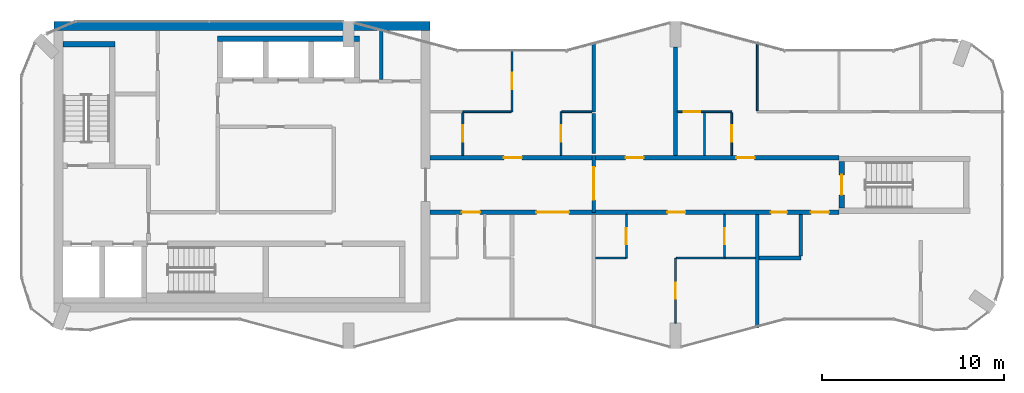
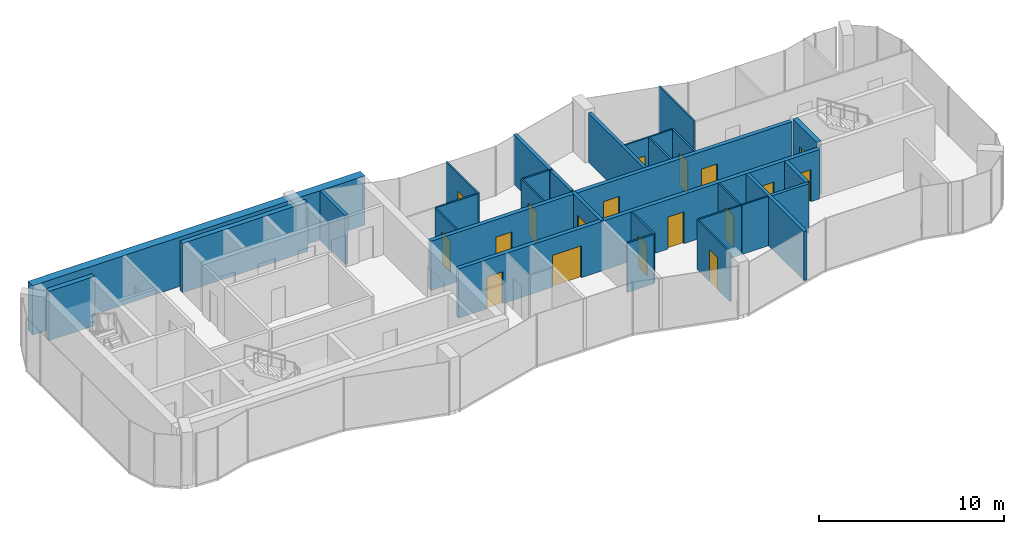
# One storey, part 8 of 10: 29 walls, 18 doors, 18 openings.
"""IFC4 building model written with IfcOpenShell, lengths in metres."""

from ifc_helpers import new_model, si_unit, direction, frame, frame_2d, origin, place, context, subcontext, project, spatial, rectangle, extrude, material, layer, layer_set, type_object, element, fill, save


model = new_model("IFC4")

# Units and contexts
model_context = context("Model", 3, precision=1e-05, world=origin(), true_north=direction((0.0, 1.0)))
body_context = subcontext(model_context, "Body", "Model", "MODEL_VIEW")
ifc_project = project(units=[si_unit("LENGTHUNIT", "METRE"), si_unit("AREAUNIT", "SQUARE_METRE"), si_unit("VOLUMEUNIT", "CUBIC_METRE"), si_unit("PLANEANGLEUNIT", "RADIAN"), si_unit("MASSUNIT", "GRAM", prefix="KILO")], contexts=[model_context])

# Site, building, storey
site_placement = place(None, origin())
site = spatial("IfcSite", under=ifc_project, at=site_placement, CompositionType="ELEMENT")
building_placement = place(site_placement, origin())
building = spatial("IfcBuilding", under=site, at=building_placement, Name="Plateau Cross Towers", CompositionType="ELEMENT")
storey_placement = place(building_placement, frame((0.0, 0.0, 249.39990234375)))
storey = spatial("IfcBuildingStorey", under=building, at=storey_placement, Name="L65", CompositionType="ELEMENT", Elevation=249.39990234375)

# Walls
ifc_material_1 = material(Name="Concrete block, plastered both sides", Category="concrete")
ifc_layer_1 = layer(ifc_material_1, 0.199951171875)
ifc_layer_set_1 = layer_set([ifc_layer_1], Name="Concrete block, plastered both sides")
wall_type_1 = type_object("IfcWallType", Name="Core partition 200", PredefinedType="PARTITIONING", material=ifc_layer_set_1)
wall_1_placement = place(storey_placement, frame((19.800048828125, 14.800048828125, 0.0), z_axis=(0.0, 0.0, 1.0), x_axis=(0.0, 1.0, 0.0)))
element("IfcWall", 1, at=wall_1_placement, inside=storey, type_object=wall_type_1, Name="Core partition", PredefinedType="PARTITIONING", context=body_context, shape_type="SweptSolid", body=[
    extrude(rectangle(XDim=2.699951171875, YDim=0.199951171875, at=frame_2d((1.35009765625, 0.0))), origin(), (0.0, 0.0, 1.0), 3.25),
])
ifc_material_2 = material(Name="Concrete C60/75", Category="concrete")
ifc_layer_2 = layer(ifc_material_2, 0.300048828125)
ifc_layer_set_2 = layer_set([ifc_layer_2], Name="Concrete C60/75")
wall_type_2 = type_object("IfcWallType", Name="Core shaft wall 300", PredefinedType="SHEAR", material=ifc_layer_set_2)
wall_2_placement = place(storey_placement, frame((2.300048828125, 16.75, 0.0), z_axis=(0.0, 0.0, 1.0), x_axis=(1.0, 0.0, 0.0)))
element("IfcWall", 2, at=wall_2_placement, inside=storey, type_object=wall_type_2, Name="A-st1-N@L65", PredefinedType="SHEAR", context=body_context, shape_type="SweptSolid", body=[
    extrude(rectangle(XDim=2.849853515625, YDim=0.300048828125, at=frame_2d((1.4248046875, 0.0))), origin(), (0.0, 0.0, 1.0), 3.25),
])
wall_3_placement = place(storey_placement, frame((10.800048828125, 17.050048828125, 0.0), z_axis=(0.0, 0.0, 1.0), x_axis=(1.0, 0.0, 0.0)))
element("IfcWall", 3, at=wall_3_placement, inside=storey, type_object=wall_type_2, Name="A-nb-back@L65", PredefinedType="SHEAR", context=body_context, shape_type="SweptSolid", body=[
    extrude(rectangle(XDim=7.800048828125, YDim=0.300048828125, at=frame_2d((3.89990234375, 0.0))), origin(), (0.0, 0.0, 1.0), 3.25),
])
ifc_layer_3 = layer(ifc_material_2, 0.5)
ifc_layer_set_3 = layer_set([ifc_layer_3], Name="Concrete C60/75")
wall_type_3 = type_object("IfcWallType", Name="Core shell wall 500", PredefinedType="SHEAR", material=ifc_layer_set_3)
wall_4_placement = place(storey_placement, frame((1.800048828125, 17.75, 0.0), z_axis=(0.0, 0.0, 1.0), x_axis=(1.0, 0.0, 0.0)))
element("IfcWall", 4, at=wall_4_placement, inside=storey, type_object=wall_type_3, Name="A-core-N@L65", PredefinedType="SHEAR", context=body_context, shape_type="SweptSolid", body=[
    extrude(rectangle(XDim=20.699951171875, YDim=0.5, at=frame_2d((10.35009765625, 0.0))), origin(), (0.0, 0.0, 1.0), 3.25),
])

# Wall, openings, doors
ifc_layer_4 = layer(ifc_material_2, 0.25)
ifc_layer_set_4 = layer_set([ifc_layer_4], Name="Concrete C60/75")
wall_type_4 = type_object("IfcWallType", Name="Corridor wall 250", PredefinedType="SHEAR", material=ifc_layer_set_4)
wall_5_placement = place(storey_placement, frame((22.5, 7.5, 0.0), z_axis=(0.0, 0.0, 1.0), x_axis=(1.0, 0.0, 0.0)))
wall_5 = element("IfcWall", 5, at=wall_5_placement, inside=storey, type_object=wall_type_4, Name="A-cw-S1@L65", PredefinedType="SHEAR", context=body_context, shape_type="SweptSolid", body=[
    extrude(rectangle(XDim=22.5, YDim=0.25, at=frame_2d((11.25, 0.0))), origin(), (0.0, 0.0, 1.0), 3.25),
])
opening_1_placement = place(wall_5_placement, frame((1.75, 0.0, 0.0)))
opening_1 = element("IfcOpeningElement", 6, at=opening_1_placement, cuts=wall_5, Name="Opening 65-01", PredefinedType="OPENING", context=body_context, shape_type="SweptSolid", body=[
    extrude(rectangle(XDim=1.0, YDim=2.10009765625, at=frame_2d((0.5, 1.050048828125))), frame((0.0, 0.135009765625, 0.0), z_axis=(0.0, -1.0, 0.0), x_axis=(1.0, 0.0, 0.0)), (0.0, 0.0, 1.0), 0.27001953125),
])
opening_2_placement = place(wall_5_placement, frame((5.85009765625, 0.0, 0.0)))
opening_2 = element("IfcOpeningElement", 7, at=opening_2_placement, cuts=wall_5, Name="Opening 65-02", PredefinedType="OPENING", context=body_context, shape_type="SweptSolid", body=[
    extrude(rectangle(XDim=1.800048828125, YDim=2.10009765625, at=frame_2d((0.89990234375, 1.050048828125))), frame((0.0, 0.135009765625, 0.0), z_axis=(0.0, -1.0, 0.0), x_axis=(1.0, 0.0, 0.0)), (0.0, 0.0, 1.0), 0.27001953125),
])
opening_3_placement = place(wall_5_placement, frame((13.050048828125, 0.0, 0.0)))
opening_3 = element("IfcOpeningElement", 8, at=opening_3_placement, cuts=wall_5, Name="Opening 65-03", PredefinedType="OPENING", context=body_context, shape_type="SweptSolid", body=[
    extrude(rectangle(XDim=1.0, YDim=2.10009765625, at=frame_2d((0.5, 1.050048828125))), frame((0.0, 0.135009765625, 0.0), z_axis=(0.0, -1.0, 0.0), x_axis=(1.0, 0.0, 0.0)), (0.0, 0.0, 1.0), 0.27001953125),
])
opening_4_placement = place(wall_5_placement, frame((18.75, 0.0, 0.0)))
opening_4 = element("IfcOpeningElement", 9, at=opening_4_placement, cuts=wall_5, Name="Opening 65-04", PredefinedType="OPENING", context=body_context, shape_type="SweptSolid", body=[
    extrude(rectangle(XDim=0.89990234375, YDim=2.10009765625, at=frame_2d((0.449951171875, 1.050048828125))), frame((0.0, 0.135009765625, 0.0), z_axis=(0.0, -1.0, 0.0), x_axis=(1.0, 0.0, 0.0)), (0.0, 0.0, 1.0), 0.27001953125),
])
opening_5_placement = place(wall_5_placement, frame((20.949951171875, 0.0, 0.0)))
opening_5 = element("IfcOpeningElement", 10, at=opening_5_placement, cuts=wall_5, Name="Opening 65-05", PredefinedType="OPENING", context=body_context, shape_type="SweptSolid", body=[
    extrude(rectangle(XDim=1.0, YDim=2.10009765625, at=frame_2d((0.5, 1.050048828125))), frame((0.0, 0.135009765625, 0.0), z_axis=(0.0, -1.0, 0.0), x_axis=(1.0, 0.0, 0.0)), (0.0, 0.0, 1.0), 0.27001953125),
])
ifc_material_3 = material(Name="Timber, fire-resisting leaf", Category="wood")
door_type_1 = type_object("IfcDoorType", Name="Flat entrance door 1000", OperationType="NOTDEFINED", PredefinedType="DOOR", material=ifc_material_3)
door_1_placement = place(opening_1_placement, origin())
door_1 = element("IfcDoor", 11, at=door_1_placement, inside=storey, type_object=door_type_1, Name="Door 65-01", OperationType="SINGLE_SWING_LEFT", OverallHeight=2.10009765625, OverallWidth=1.0, PredefinedType="DOOR", context=body_context, shape_type="SweptSolid", body=[
    extrude(rectangle(XDim=1.0, YDim=2.10009765625, at=frame_2d((0.5, 1.050048828125))), frame((0.0, 0.02490234375, 0.0), z_axis=(0.0, -1.0, 0.0), x_axis=(1.0, 0.0, 0.0)), (0.0, 0.0, 1.0), 0.050048828125),
])
fill(opening_1, door_1)
door_2_placement = place(opening_3_placement, origin())
door_2 = element("IfcDoor", 12, at=door_2_placement, inside=storey, type_object=door_type_1, Name="Door 65-03", OperationType="SINGLE_SWING_RIGHT", OverallHeight=2.10009765625, OverallWidth=1.0, PredefinedType="DOOR", context=body_context, shape_type="SweptSolid", body=[
    extrude(rectangle(XDim=1.0, YDim=2.10009765625, at=frame_2d((0.5, 1.050048828125))), frame((0.0, 0.02490234375, 0.0), z_axis=(0.0, -1.0, 0.0), x_axis=(1.0, 0.0, 0.0)), (0.0, 0.0, 1.0), 0.050048828125),
])
fill(opening_3, door_2)
door_3_placement = place(opening_5_placement, origin())
door_3 = element("IfcDoor", 13, at=door_3_placement, inside=storey, type_object=door_type_1, Name="Door 65-05", OperationType="SINGLE_SWING_RIGHT", OverallHeight=2.10009765625, OverallWidth=1.0, PredefinedType="DOOR", context=body_context, shape_type="SweptSolid", body=[
    extrude(rectangle(XDim=1.0, YDim=2.10009765625, at=frame_2d((0.5, 1.050048828125))), frame((0.0, 0.02490234375, 0.0), z_axis=(0.0, -1.0, 0.0), x_axis=(1.0, 0.0, 0.0)), (0.0, 0.0, 1.0), 0.050048828125),
])
fill(opening_5, door_3)
ifc_material_4 = material(Name="Timber, fire-resisting leaves", Category="wood")
door_type_2 = type_object("IfcDoorType", Name="Flat floor fire door pair 1800", OperationType="NOTDEFINED", PredefinedType="DOOR", material=ifc_material_4)
door_4_placement = place(opening_2_placement, origin())
door_4 = element("IfcDoor", 14, at=door_4_placement, inside=storey, type_object=door_type_2, Name="Door 65-02", OperationType="SINGLE_SWING_LEFT", OverallHeight=2.10009765625, OverallWidth=1.800048828125, PredefinedType="DOOR", context=body_context, shape_type="SweptSolid", body=[
    extrude(rectangle(XDim=1.800048828125, YDim=2.10009765625, at=frame_2d((0.89990234375, 1.050048828125))), frame((0.0, 0.02490234375, 0.0), z_axis=(0.0, -1.0, 0.0), x_axis=(1.0, 0.0, 0.0)), (0.0, 0.0, 1.0), 0.050048828125),
])
fill(opening_2, door_4)
door_type_3 = type_object("IfcDoorType", Name="Flat floor service door 900", OperationType="NOTDEFINED", PredefinedType="DOOR", material=ifc_material_3)
door_5_placement = place(opening_4_placement, origin())
door_5 = element("IfcDoor", 15, at=door_5_placement, inside=storey, type_object=door_type_3, Name="Door 65-04", OperationType="SINGLE_SWING_RIGHT", OverallHeight=2.10009765625, OverallWidth=0.89990234375, PredefinedType="DOOR", context=body_context, shape_type="SweptSolid", body=[
    extrude(rectangle(XDim=0.89990234375, YDim=2.10009765625, at=frame_2d((0.449951171875, 1.050048828125))), frame((0.0, 0.02490234375, 0.0), z_axis=(0.0, -1.0, 0.0), x_axis=(1.0, 0.0, 0.0)), (0.0, 0.0, 1.0), 0.050048828125),
])
fill(opening_4, door_5)

wall_6_placement = place(storey_placement, frame((22.5, 10.5, 0.0), z_axis=(0.0, 0.0, 1.0), x_axis=(1.0, 0.0, 0.0)))
wall_6 = element("IfcWall", 16, at=wall_6_placement, inside=storey, type_object=wall_type_4, Name="A-cw-S2@L65", PredefinedType="SHEAR", context=body_context, shape_type="SweptSolid", body=[
    extrude(rectangle(XDim=22.5, YDim=0.25, at=frame_2d((11.25, 0.0))), origin(), (0.0, 0.0, 1.0), 3.25),
])
opening_6_placement = place(wall_6_placement, frame((4.050048828125, 0.0, 0.0)))
opening_6 = element("IfcOpeningElement", 17, at=opening_6_placement, cuts=wall_6, Name="Opening 65-06", PredefinedType="OPENING", context=body_context, shape_type="SweptSolid", body=[
    extrude(rectangle(XDim=1.0, YDim=2.10009765625, at=frame_2d((0.5, 1.050048828125))), frame((0.0, 0.135009765625, 0.0), z_axis=(0.0, -1.0, 0.0), x_axis=(1.0, 0.0, 0.0)), (0.0, 0.0, 1.0), 0.27001953125),
])
opening_7_placement = place(wall_6_placement, frame((10.75, 0.0, 0.0)))
opening_7 = element("IfcOpeningElement", 18, at=opening_7_placement, cuts=wall_6, Name="Opening 65-07", PredefinedType="OPENING", context=body_context, shape_type="SweptSolid", body=[
    extrude(rectangle(XDim=1.0, YDim=2.10009765625, at=frame_2d((0.5, 1.050048828125))), frame((0.0, 0.135009765625, 0.0), z_axis=(0.0, -1.0, 0.0), x_axis=(1.0, 0.0, 0.0)), (0.0, 0.0, 1.0), 0.27001953125),
])
opening_8_placement = place(wall_6_placement, frame((16.85009765625, 0.0, 0.0)))
opening_8 = element("IfcOpeningElement", 19, at=opening_8_placement, cuts=wall_6, Name="Opening 65-08", PredefinedType="OPENING", context=body_context, shape_type="SweptSolid", body=[
    extrude(rectangle(XDim=1.0, YDim=2.10009765625, at=frame_2d((0.5, 1.050048828125))), frame((0.0, 0.135009765625, 0.0), z_axis=(0.0, -1.0, 0.0), x_axis=(1.0, 0.0, 0.0)), (0.0, 0.0, 1.0), 0.27001953125),
])
door_6_placement = place(opening_6_placement, origin())
door_6 = element("IfcDoor", 20, at=door_6_placement, inside=storey, type_object=door_type_1, Name="Door 65-06", OperationType="SINGLE_SWING_LEFT", OverallHeight=2.10009765625, OverallWidth=1.0, PredefinedType="DOOR", context=body_context, shape_type="SweptSolid", body=[
    extrude(rectangle(XDim=1.0, YDim=2.10009765625, at=frame_2d((0.5, 1.050048828125))), frame((0.0, 0.02490234375, 0.0), z_axis=(0.0, -1.0, 0.0), x_axis=(1.0, 0.0, 0.0)), (0.0, 0.0, 1.0), 0.050048828125),
])
fill(opening_6, door_6)
door_7_placement = place(opening_7_placement, origin())
door_7 = element("IfcDoor", 21, at=door_7_placement, inside=storey, type_object=door_type_1, Name="Door 65-07", OperationType="SINGLE_SWING_LEFT", OverallHeight=2.10009765625, OverallWidth=1.0, PredefinedType="DOOR", context=body_context, shape_type="SweptSolid", body=[
    extrude(rectangle(XDim=1.0, YDim=2.10009765625, at=frame_2d((0.5, 1.050048828125))), frame((0.0, 0.02490234375, 0.0), z_axis=(0.0, -1.0, 0.0), x_axis=(1.0, 0.0, 0.0)), (0.0, 0.0, 1.0), 0.050048828125),
])
fill(opening_7, door_7)
door_8_placement = place(opening_8_placement, origin())
door_8 = element("IfcDoor", 22, at=door_8_placement, inside=storey, type_object=door_type_1, Name="Door 65-08", OperationType="SINGLE_SWING_RIGHT", OverallHeight=2.10009765625, OverallWidth=1.0, PredefinedType="DOOR", context=body_context, shape_type="SweptSolid", body=[
    extrude(rectangle(XDim=1.0, YDim=2.10009765625, at=frame_2d((0.5, 1.050048828125))), frame((0.0, 0.02490234375, 0.0), z_axis=(0.0, -1.0, 0.0), x_axis=(1.0, 0.0, 0.0)), (0.0, 0.0, 1.0), 0.050048828125),
])
fill(opening_8, door_8)

# Walls
ifc_material_5 = material(Name="Gypsum board on steel studs", Category="steel")
ifc_layer_5 = layer(ifc_material_5, 0.10009765625)
ifc_layer_set_5 = layer_set([ifc_layer_5], Name="Gypsum board on steel studs")
wall_type_5 = type_object("IfcWallType", Name="Flat partition 100", PredefinedType="PARTITIONING", material=ifc_layer_set_5)
wall_7_placement = place(storey_placement, frame((38.699951171875, 4.97509765625, 0.0), z_axis=(0.0, 0.0, 1.0), x_axis=(-1.0, 0.0, 0.0)))
element("IfcWall", 23, at=wall_7_placement, inside=storey, type_object=wall_type_5, Name="Partition wall", PredefinedType="PARTITIONING", context=body_context, shape_type="SweptSolid", body=[
    extrude(rectangle(XDim=2.64990234375, YDim=0.10009765625, at=frame_2d((1.324951171875, 0.0))), origin(), (0.0, 0.0, 1.0), 3.25),
])
for number, where, z_axis, x_axis, name in (
    (24, (31.60009765625, 4.97509765625, 0.0), (0.0, 0.0, 1.0), (1.0, 0.0, 0.0), "Partition wall"),
    (25, (38.75, 4.97509765625, 0.0), (0.0, 0.0, 1.0), (1.0, 0.0, 0.0), "Partition wall"),
    (26, (31.39990234375, 13.02490234375, 0.0), (0.0, 0.0, 1.0), (-1.0, 0.0, 0.0), "Partition wall"),
):
    element("IfcWall", number, at=place(storey_placement, frame(where, z_axis=z_axis, x_axis=x_axis)), inside=storey, type_object=wall_type_5, Name=name, PredefinedType="PARTITIONING", context=body_context, shape_type="SweptSolid", body=[
        extrude(rectangle(XDim=1.64990234375, YDim=0.10009765625, at=frame_2d((0.824951171875, 0.0))), origin(), (0.0, 0.0, 1.0), 3.25),
    ])

# Wall, opening, door
wall_8_placement = place(storey_placement, frame((39.10009765625, 13.02490234375, 0.0), z_axis=(0.0, 0.0, 1.0), x_axis=(-1.0, 0.0, 0.0)))
wall_8 = element("IfcWall", 27, at=wall_8_placement, inside=storey, type_object=wall_type_5, Name="Partition wall", PredefinedType="PARTITIONING", context=body_context, shape_type="SweptSolid", body=[
    extrude(rectangle(XDim=3.0, YDim=0.10009765625, at=frame_2d((1.5, 0.0))), origin(), (0.0, 0.0, 1.0), 3.25),
])
opening_9_placement = place(wall_8_placement, frame((1.75, 0.0, 0.0)))
opening_9 = element("IfcOpeningElement", 28, at=opening_9_placement, cuts=wall_8, Name="Opening 65-19", PredefinedType="OPENING", context=body_context, shape_type="SweptSolid", body=[
    extrude(rectangle(XDim=0.89990234375, YDim=2.10009765625, at=frame_2d((0.449951171875, 1.050048828125))), frame((0.0, 0.06005859375, 0.0), z_axis=(0.0, -1.0, 0.0), x_axis=(1.0, 0.0, 0.0)), (0.0, 0.0, 1.0), 0.1201171875),
])
ifc_material_6 = material(Name="Timber leaf", Category="wood")
door_type_4 = type_object("IfcDoorType", Name="Flat room door 900", OperationType="NOTDEFINED", PredefinedType="DOOR", material=ifc_material_6)
door_9_placement = place(opening_9_placement, origin())
door_9 = element("IfcDoor", 29, at=door_9_placement, inside=storey, type_object=door_type_4, Name="Door 65-19", OperationType="SINGLE_SWING_RIGHT", OverallHeight=2.10009765625, OverallWidth=0.89990234375, PredefinedType="DOOR", context=body_context, shape_type="SweptSolid", body=[
    extrude(rectangle(XDim=0.89990234375, YDim=2.10009765625, at=frame_2d((0.449951171875, 1.050048828125))), frame((0.0, 0.02490234375, 0.0), z_axis=(0.0, -1.0, 0.0), x_axis=(1.0, 0.0, 0.0)), (0.0, 0.0, 1.0), 0.050048828125),
])
fill(opening_9, door_9)

# Wall
wall_9_placement = place(storey_placement, frame((24.300048828125, 13.02490234375, 0.0), z_axis=(0.0, 0.0, 1.0), x_axis=(1.0, 0.0, 0.0)))
element("IfcWall", 30, at=wall_9_placement, inside=storey, type_object=wall_type_5, Name="Partition wall", PredefinedType="PARTITIONING", context=body_context, shape_type="SweptSolid", body=[
    extrude(rectangle(XDim=2.64990234375, YDim=0.10009765625, at=frame_2d((1.324951171875, 0.0))), origin(), (0.0, 0.0, 1.0), 3.25),
])

# Wall, opening, door
wall_10_placement = place(storey_placement, frame((24.300048828125, 10.625, 0.0), z_axis=(0.0, 0.0, 1.0), x_axis=(0.0, 1.0, 0.0)))
wall_10 = element("IfcWall", 31, at=wall_10_placement, inside=storey, type_object=wall_type_5, Name="Partition wall", PredefinedType="PARTITIONING", context=body_context, shape_type="SweptSolid", body=[
    extrude(rectangle(XDim=2.35009765625, YDim=0.10009765625, at=frame_2d((1.175048828125, 0.0))), origin(), (0.0, 0.0, 1.0), 3.25),
])
opening_10_placement = place(wall_10_placement, frame((0.75, 0.0, 0.0)))
opening_10 = element("IfcOpeningElement", 32, at=opening_10_placement, cuts=wall_10, Name="Opening 65-16", PredefinedType="OPENING", context=body_context, shape_type="SweptSolid", body=[
    extrude(rectangle(XDim=0.89990234375, YDim=2.10009765625, at=frame_2d((0.449951171875, 1.050048828125))), frame((0.0, 0.06005859375, 0.0), z_axis=(0.0, -1.0, 0.0), x_axis=(1.0, 0.0, 0.0)), (0.0, 0.0, 1.0), 0.1201171875),
])
door_10_placement = place(opening_10_placement, origin())
door_10 = element("IfcDoor", 33, at=door_10_placement, inside=storey, type_object=door_type_4, Name="Door 65-16", OperationType="SINGLE_SWING_RIGHT", OverallHeight=2.10009765625, OverallWidth=0.89990234375, PredefinedType="DOOR", context=body_context, shape_type="SweptSolid", body=[
    extrude(rectangle(XDim=0.89990234375, YDim=2.10009765625, at=frame_2d((0.449951171875, 1.050048828125))), frame((0.0, 0.02490234375, 0.0), z_axis=(0.0, -1.0, 0.0), x_axis=(1.0, 0.0, 0.0)), (0.0, 0.0, 1.0), 0.050048828125),
])
fill(opening_10, door_10)

wall_11_placement = place(storey_placement, frame((27.0, 13.02490234375, 0.0), z_axis=(0.0, 0.0, 1.0), x_axis=(0.0, 1.0, 0.0)))
wall_11 = element("IfcWall", 34, at=wall_11_placement, inside=storey, type_object=wall_type_5, Name="Partition wall", PredefinedType="PARTITIONING", context=body_context, shape_type="SweptSolid", body=[
    extrude(rectangle(XDim=3.4482421875, YDim=0.10009765625, at=frame_2d((1.72412109375, 0.0))), origin(), (0.0, 0.0, 1.0), 3.25),
])
opening_11_placement = place(wall_11_placement, frame((1.25, 0.0, 0.0)))
opening_11 = element("IfcOpeningElement", 35, at=opening_11_placement, cuts=wall_11, Name="Opening 65-18", PredefinedType="OPENING", context=body_context, shape_type="SweptSolid", body=[
    extrude(rectangle(XDim=0.89990234375, YDim=2.10009765625, at=frame_2d((0.449951171875, 1.050048828125))), frame((0.0, 0.06005859375, 0.0), z_axis=(0.0, -1.0, 0.0), x_axis=(1.0, 0.0, 0.0)), (0.0, 0.0, 1.0), 0.1201171875),
])
door_11_placement = place(opening_11_placement, origin())
door_11 = element("IfcDoor", 36, at=door_11_placement, inside=storey, type_object=door_type_4, Name="Door 65-18", OperationType="SINGLE_SWING_LEFT", OverallHeight=2.10009765625, OverallWidth=0.89990234375, PredefinedType="DOOR", context=body_context, shape_type="SweptSolid", body=[
    extrude(rectangle(XDim=0.89990234375, YDim=2.10009765625, at=frame_2d((0.449951171875, 1.050048828125))), frame((0.0, 0.02490234375, 0.0), z_axis=(0.0, -1.0, 0.0), x_axis=(1.0, 0.0, 0.0)), (0.0, 0.0, 1.0), 0.050048828125),
])
fill(opening_11, door_11)

wall_12_placement = place(storey_placement, frame((29.699951171875, 13.02490234375, 0.0), z_axis=(0.0, 0.0, 1.0), x_axis=(0.0, -1.0, 0.0)))
wall_12 = element("IfcWall", 37, at=wall_12_placement, inside=storey, type_object=wall_type_5, Name="Partition wall", PredefinedType="PARTITIONING", context=body_context, shape_type="SweptSolid", body=[
    extrude(rectangle(XDim=2.39990234375, YDim=0.10009765625, at=frame_2d((1.199951171875, 0.0))), origin(), (0.0, 0.0, 1.0), 3.25),
])
opening_12_placement = place(wall_12_placement, frame((0.75, 0.0, 0.0)))
opening_12 = element("IfcOpeningElement", 38, at=opening_12_placement, cuts=wall_12, Name="Opening 65-17", PredefinedType="OPENING", context=body_context, shape_type="SweptSolid", body=[
    extrude(rectangle(XDim=0.89990234375, YDim=2.10009765625, at=frame_2d((0.449951171875, 1.050048828125))), frame((0.0, 0.06005859375, 0.0), z_axis=(0.0, -1.0, 0.0), x_axis=(1.0, 0.0, 0.0)), (0.0, 0.0, 1.0), 0.1201171875),
])
door_12_placement = place(opening_12_placement, origin())
door_12 = element("IfcDoor", 39, at=door_12_placement, inside=storey, type_object=door_type_4, Name="Door 65-17", OperationType="SINGLE_SWING_LEFT", OverallHeight=2.10009765625, OverallWidth=0.89990234375, PredefinedType="DOOR", context=body_context, shape_type="SweptSolid", body=[
    extrude(rectangle(XDim=0.89990234375, YDim=2.10009765625, at=frame_2d((0.449951171875, 1.050048828125))), frame((0.0, 0.02490234375, 0.0), z_axis=(0.0, -1.0, 0.0), x_axis=(1.0, 0.0, 0.0)), (0.0, 0.0, 1.0), 0.050048828125),
])
fill(opening_12, door_12)

wall_13_placement = place(storey_placement, frame((33.300048828125, 4.97509765625, 0.0), z_axis=(0.0, 0.0, 1.0), x_axis=(0.0, 1.0, 0.0)))
wall_13 = element("IfcWall", 40, at=wall_13_placement, inside=storey, type_object=wall_type_5, Name="Partition wall", PredefinedType="PARTITIONING", context=body_context, shape_type="SweptSolid", body=[
    extrude(rectangle(XDim=2.39990234375, YDim=0.10009765625, at=frame_2d((1.199951171875, 0.0))), origin(), (0.0, 0.0, 1.0), 3.25),
])
opening_13_placement = place(wall_13_placement, frame((0.75, 0.0, 0.0)))
opening_13 = element("IfcOpeningElement", 41, at=opening_13_placement, cuts=wall_13, Name="Opening 65-13", PredefinedType="OPENING", context=body_context, shape_type="SweptSolid", body=[
    extrude(rectangle(XDim=0.89990234375, YDim=2.10009765625, at=frame_2d((0.449951171875, 1.050048828125))), frame((0.0, 0.06005859375, 0.0), z_axis=(0.0, -1.0, 0.0), x_axis=(1.0, 0.0, 0.0)), (0.0, 0.0, 1.0), 0.1201171875),
])
door_13_placement = place(opening_13_placement, origin())
door_13 = element("IfcDoor", 42, at=door_13_placement, inside=storey, type_object=door_type_4, Name="Door 65-13", OperationType="SINGLE_SWING_LEFT", OverallHeight=2.10009765625, OverallWidth=0.89990234375, PredefinedType="DOOR", context=body_context, shape_type="SweptSolid", body=[
    extrude(rectangle(XDim=0.89990234375, YDim=2.10009765625, at=frame_2d((0.449951171875, 1.050048828125))), frame((0.0, 0.02490234375, 0.0), z_axis=(0.0, -1.0, 0.0), x_axis=(1.0, 0.0, 0.0)), (0.0, 0.0, 1.0), 0.050048828125),
])
fill(opening_13, door_13)

wall_14_placement = place(storey_placement, frame((36.0, 4.97509765625, 0.0), z_axis=(0.0, 0.0, 1.0), x_axis=(0.0, -1.0, 0.0)))
wall_14 = element("IfcWall", 43, at=wall_14_placement, inside=storey, type_object=wall_type_5, Name="Partition wall", PredefinedType="PARTITIONING", context=body_context, shape_type="SweptSolid", body=[
    extrude(rectangle(XDim=3.5751953125, YDim=0.10009765625, at=frame_2d((1.78759765625, 0.0))), origin(), (0.0, 0.0, 1.0), 3.25),
])
opening_14_placement = place(wall_14_placement, frame((1.35009765625, 0.0, 0.0)))
opening_14 = element("IfcOpeningElement", 44, at=opening_14_placement, cuts=wall_14, Name="Opening 65-15", PredefinedType="OPENING", context=body_context, shape_type="SweptSolid", body=[
    extrude(rectangle(XDim=0.89990234375, YDim=2.10009765625, at=frame_2d((0.449951171875, 1.050048828125))), frame((0.0, 0.06005859375, 0.0), z_axis=(0.0, -1.0, 0.0), x_axis=(1.0, 0.0, 0.0)), (0.0, 0.0, 1.0), 0.1201171875),
])
door_14_placement = place(opening_14_placement, origin())
door_14 = element("IfcDoor", 45, at=door_14_placement, inside=storey, type_object=door_type_4, Name="Door 65-15", OperationType="SINGLE_SWING_RIGHT", OverallHeight=2.10009765625, OverallWidth=0.89990234375, PredefinedType="DOOR", context=body_context, shape_type="SweptSolid", body=[
    extrude(rectangle(XDim=0.89990234375, YDim=2.10009765625, at=frame_2d((0.449951171875, 1.050048828125))), frame((0.0, 0.02490234375, 0.0), z_axis=(0.0, -1.0, 0.0), x_axis=(1.0, 0.0, 0.0)), (0.0, 0.0, 1.0), 0.050048828125),
])
fill(opening_14, door_14)

# Wall
wall_15_placement = place(storey_placement, frame((37.60009765625, 10.625, 0.0), z_axis=(0.0, 0.0, 1.0), x_axis=(0.0, 1.0, 0.0)))
element("IfcWall", 46, at=wall_15_placement, inside=storey, type_object=wall_type_5, Name="Partition wall", PredefinedType="PARTITIONING", context=body_context, shape_type="SweptSolid", body=[
    extrude(rectangle(XDim=2.35009765625, YDim=0.10009765625, at=frame_2d((1.175048828125, 0.0))), origin(), (0.0, 0.0, 1.0), 3.25),
])

# Wall, opening, door
wall_16_placement = place(storey_placement, frame((38.699951171875, 7.375, 0.0), z_axis=(0.0, 0.0, 1.0), x_axis=(0.0, -1.0, 0.0)))
wall_16 = element("IfcWall", 47, at=wall_16_placement, inside=storey, type_object=wall_type_5, Name="Partition wall", PredefinedType="PARTITIONING", context=body_context, shape_type="SweptSolid", body=[
    extrude(rectangle(XDim=2.35009765625, YDim=0.10009765625, at=frame_2d((1.175048828125, 0.0))), origin(), (0.0, 0.0, 1.0), 3.25),
])
opening_15_placement = place(wall_16_placement, frame((0.75, 0.0, 0.0)))
opening_15 = element("IfcOpeningElement", 48, at=opening_15_placement, cuts=wall_16, Name="Opening 65-14", PredefinedType="OPENING", context=body_context, shape_type="SweptSolid", body=[
    extrude(rectangle(XDim=0.89990234375, YDim=2.10009765625, at=frame_2d((0.449951171875, 1.050048828125))), frame((0.0, 0.06005859375, 0.0), z_axis=(0.0, -1.0, 0.0), x_axis=(1.0, 0.0, 0.0)), (0.0, 0.0, 1.0), 0.1201171875),
])
door_15_placement = place(opening_15_placement, origin())
door_15 = element("IfcDoor", 49, at=door_15_placement, inside=storey, type_object=door_type_4, Name="Door 65-14", OperationType="SINGLE_SWING_RIGHT", OverallHeight=2.10009765625, OverallWidth=0.89990234375, PredefinedType="DOOR", context=body_context, shape_type="SweptSolid", body=[
    extrude(rectangle(XDim=0.89990234375, YDim=2.10009765625, at=frame_2d((0.449951171875, 1.050048828125))), frame((0.0, 0.02490234375, 0.0), z_axis=(0.0, -1.0, 0.0), x_axis=(1.0, 0.0, 0.0)), (0.0, 0.0, 1.0), 0.050048828125),
])
fill(opening_15, door_15)

wall_17_placement = place(storey_placement, frame((39.10009765625, 10.625, 0.0), z_axis=(0.0, 0.0, 1.0), x_axis=(0.0, 1.0, 0.0)))
wall_17 = element("IfcWall", 50, at=wall_17_placement, inside=storey, type_object=wall_type_5, Name="Partition wall", PredefinedType="PARTITIONING", context=body_context, shape_type="SweptSolid", body=[
    extrude(rectangle(XDim=2.35009765625, YDim=0.10009765625, at=frame_2d((1.175048828125, 0.0))), origin(), (0.0, 0.0, 1.0), 3.25),
])
opening_16_placement = place(wall_17_placement, frame((0.75, 0.0, 0.0)))
opening_16 = element("IfcOpeningElement", 51, at=opening_16_placement, cuts=wall_17, Name="Opening 65-20", PredefinedType="OPENING", context=body_context, shape_type="SweptSolid", body=[
    extrude(rectangle(XDim=0.89990234375, YDim=2.10009765625, at=frame_2d((0.449951171875, 1.050048828125))), frame((0.0, 0.06005859375, 0.0), z_axis=(0.0, -1.0, 0.0), x_axis=(1.0, 0.0, 0.0)), (0.0, 0.0, 1.0), 0.1201171875),
])
door_16_placement = place(opening_16_placement, origin())
door_16 = element("IfcDoor", 52, at=door_16_placement, inside=storey, type_object=door_type_4, Name="Door 65-20", OperationType="SINGLE_SWING_RIGHT", OverallHeight=2.10009765625, OverallWidth=0.89990234375, PredefinedType="DOOR", context=body_context, shape_type="SweptSolid", body=[
    extrude(rectangle(XDim=0.89990234375, YDim=2.10009765625, at=frame_2d((0.449951171875, 1.050048828125))), frame((0.0, 0.02490234375, 0.0), z_axis=(0.0, -1.0, 0.0), x_axis=(1.0, 0.0, 0.0)), (0.0, 0.0, 1.0), 0.050048828125),
])
fill(opening_16, door_16)

# Walls
wall_18_placement = place(storey_placement, frame((40.5, 16.877685546875, 0.0), z_axis=(0.0, 0.0, 1.0), x_axis=(0.0, -1.0, 0.0)))
element("IfcWall", 53, at=wall_18_placement, inside=storey, type_object=wall_type_5, Name="Partition wall", PredefinedType="PARTITIONING", context=body_context, shape_type="SweptSolid", body=[
    extrude(rectangle(XDim=3.802734375, YDim=0.10009765625, at=frame_2d((1.9013671875, 0.0))), origin(), (0.0, 0.0, 1.0), 3.25),
])
ifc_material_7 = material(Name="Gypsum board on steel studs, two layers each side", Category="steel")
ifc_layer_6 = layer(ifc_material_7, 0.199951171875)
ifc_layer_set_6 = layer_set([ifc_layer_6], Name="Gypsum board on steel studs, two layers each side")
wall_type_6 = type_object("IfcWallType", Name="Flat party wall 200", PredefinedType="PARTITIONING", material=ifc_layer_set_6)
wall_19_placement = place(storey_placement, frame((40.60009765625, 4.97509765625, 0.0), z_axis=(0.0, 0.0, 1.0), x_axis=(1.0, 0.0, 0.0)))
element("IfcWall", 54, at=wall_19_placement, inside=storey, type_object=wall_type_6, Name="Party wall", PredefinedType="PARTITIONING", context=body_context, shape_type="SweptSolid", body=[
    extrude(rectangle(XDim=2.2998046875, YDim=0.199951171875, at=frame_2d((1.14990234375, 0.0))), origin(), (0.0, 0.0, 1.0), 3.25),
])
wall_20_placement = place(storey_placement, frame((31.5, 16.877685546875, 0.0), z_axis=(0.0, 0.0, 1.0), x_axis=(0.0, -1.0, 0.0)))
element("IfcWall", 55, at=wall_20_placement, inside=storey, type_object=wall_type_6, Name="Party wall", PredefinedType="PARTITIONING", context=body_context, shape_type="SweptSolid", body=[
    extrude(rectangle(XDim=3.852783203125, YDim=0.199951171875, at=frame_2d((1.92626953125, 0.0))), origin(), (0.0, 0.0, 1.0), 3.25),
])
wall_21_placement = place(storey_placement, frame((31.5, 10.72509765625, 0.0), z_axis=(0.0, 0.0, 1.0), x_axis=(0.0, 1.0, 0.0)))
element("IfcWall", 56, at=wall_21_placement, inside=storey, type_object=wall_type_6, Name="Party wall", PredefinedType="PARTITIONING", context=body_context, shape_type="SweptSolid", body=[
    extrude(rectangle(XDim=2.199951171875, YDim=0.199951171875, at=frame_2d((1.10009765625, 0.0))), origin(), (0.0, 0.0, 1.0), 3.25),
])
wall_22_placement = place(storey_placement, frame((36.0, 10.625, 0.0), z_axis=(0.0, 0.0, 1.0), x_axis=(0.0, 1.0, 0.0)))
element("IfcWall", 57, at=wall_22_placement, inside=storey, type_object=wall_type_6, Name="Party wall", PredefinedType="PARTITIONING", context=body_context, shape_type="SweptSolid", body=[
    extrude(rectangle(XDim=5.97509765625, YDim=0.199951171875, at=frame_2d((2.987548828125, 0.0))), origin(), (0.0, 0.0, 1.0), 3.25),
])
wall_23_placement = place(storey_placement, frame((40.5, 1.122314453125, 0.0), z_axis=(0.0, 0.0, 1.0), x_axis=(0.0, 1.0, 0.0)))
element("IfcWall", 58, at=wall_23_placement, inside=storey, type_object=wall_type_6, Name="Party wall", PredefinedType="PARTITIONING", context=body_context, shape_type="SweptSolid", body=[
    extrude(rectangle(XDim=6.252685546875, YDim=0.199951171875, at=frame_2d((3.12646484375, 0.0))), origin(), (0.0, 0.0, 1.0), 3.25),
])
wall_24_placement = place(storey_placement, frame((42.89990234375, 5.074951171875, 0.0), z_axis=(0.0, 0.0, 1.0), x_axis=(0.0, 1.0, 0.0)))
element("IfcWall", 59, at=wall_24_placement, inside=storey, type_object=wall_type_6, Name="Party wall", PredefinedType="PARTITIONING", context=body_context, shape_type="SweptSolid", body=[
    extrude(rectangle(XDim=2.300048828125, YDim=0.199951171875, at=frame_2d((1.14990234375, 0.0))), origin(), (0.0, 0.0, 1.0), 3.25),
])

# Wall, opening, door
wall_25_placement = place(storey_placement, frame((31.5, 7.47509765625, 0.0), z_axis=(0.0, 0.0, 1.0), x_axis=(0.0, 1.0, 0.0)))
wall_25 = element("IfcWall", 60, at=wall_25_placement, inside=storey, type_object=wall_type_6, Name="Party wall", PredefinedType="PARTITIONING", context=body_context, shape_type="SweptSolid", body=[
    extrude(rectangle(XDim=3.14990234375, YDim=0.199951171875, at=frame_2d((1.574951171875, 0.0))), origin(), (0.0, 0.0, 1.0), 3.25),
])
opening_17_placement = place(wall_25_placement, frame((0.699951171875, 0.0, 0.0)))
opening_17 = element("IfcOpeningElement", 61, at=opening_17_placement, cuts=wall_25, Name="Opening 65-09", PredefinedType="OPENING", context=body_context, shape_type="SweptSolid", body=[
    extrude(rectangle(XDim=1.800048828125, YDim=2.10009765625, at=frame_2d((0.89990234375, 1.050048828125))), frame((0.0, 0.10986328125, 0.0), z_axis=(0.0, -1.0, 0.0), x_axis=(1.0, 0.0, 0.0)), (0.0, 0.0, 1.0), 0.219970703125),
])
door_17_placement = place(opening_17_placement, origin())
door_17 = element("IfcDoor", 62, at=door_17_placement, inside=storey, type_object=door_type_2, Name="Door 65-09", OperationType="SINGLE_SWING_RIGHT", OverallHeight=2.10009765625, OverallWidth=1.800048828125, PredefinedType="DOOR", context=body_context, shape_type="SweptSolid", body=[
    extrude(rectangle(XDim=1.800048828125, YDim=2.10009765625, at=frame_2d((0.89990234375, 1.050048828125))), frame((0.0, 0.02490234375, 0.0), z_axis=(0.0, -1.0, 0.0), x_axis=(1.0, 0.0, 0.0)), (0.0, 0.0, 1.0), 0.050048828125),
])
fill(opening_17, door_17)

ifc_layer_7 = layer(ifc_material_2, 0.300048828125)
ifc_layer_set_7 = layer_set([ifc_layer_7], Name="Concrete C60/75")
wall_type_7 = type_object("IfcWallType", Name="Stair tower wall 300", PredefinedType="SHEAR", material=ifc_layer_set_7)
wall_26_placement = place(storey_placement, frame((45.14990234375, 7.72509765625, 0.0), z_axis=(0.0, 0.0, 1.0), x_axis=(0.0, 1.0, 0.0)))
wall_26 = element("IfcWall", 63, at=wall_26_placement, inside=storey, type_object=wall_type_7, Name="A-end-E-W@L65", PredefinedType="SHEAR", context=body_context, shape_type="SweptSolid", body=[
    extrude(rectangle(XDim=2.5498046875, YDim=0.300048828125, at=frame_2d((1.27490234375, 0.0))), origin(), (0.0, 0.0, 1.0), 3.5),
])
opening_18_placement = place(wall_26_placement, frame((0.72509765625, 0.0, 0.0)))
opening_18 = element("IfcOpeningElement", 64, at=opening_18_placement, cuts=wall_26, Name="Opening SD", PredefinedType="OPENING", context=body_context, shape_type="SweptSolid", body=[
    extrude(rectangle(XDim=1.10009765625, YDim=2.10009765625, at=frame_2d((0.550048828125, 1.050048828125))), frame((0.0, 0.159912109375, 0.0), z_axis=(0.0, -1.0, 0.0), x_axis=(1.0, 0.0, 0.0)), (0.0, 0.0, 1.0), 0.320068359375),
])
ifc_material_8 = material(Name="Steel, fire-resisting leaf", Category="steel")
door_type_5 = type_object("IfcDoorType", Name="Stair door 1100", OperationType="NOTDEFINED", PredefinedType="DOOR", material=ifc_material_8)
door_18_placement = place(opening_18_placement, origin())
door_18 = element("IfcDoor", 65, at=door_18_placement, inside=storey, type_object=door_type_5, Name="Stair door SD", OperationType="SINGLE_SWING_LEFT", OverallHeight=2.10009765625, OverallWidth=1.10009765625, PredefinedType="DOOR", context=body_context, shape_type="SweptSolid", body=[
    extrude(rectangle(XDim=1.10009765625, YDim=2.10009765625, at=frame_2d((0.550048828125, 1.050048828125))), frame((0.0, 0.02490234375, 0.0), z_axis=(0.0, -1.0, 0.0), x_axis=(1.0, 0.0, 0.0)), (0.0, 0.0, 1.0), 0.050048828125),
])
fill(opening_18, door_18)

save(model, "model.ifc")
